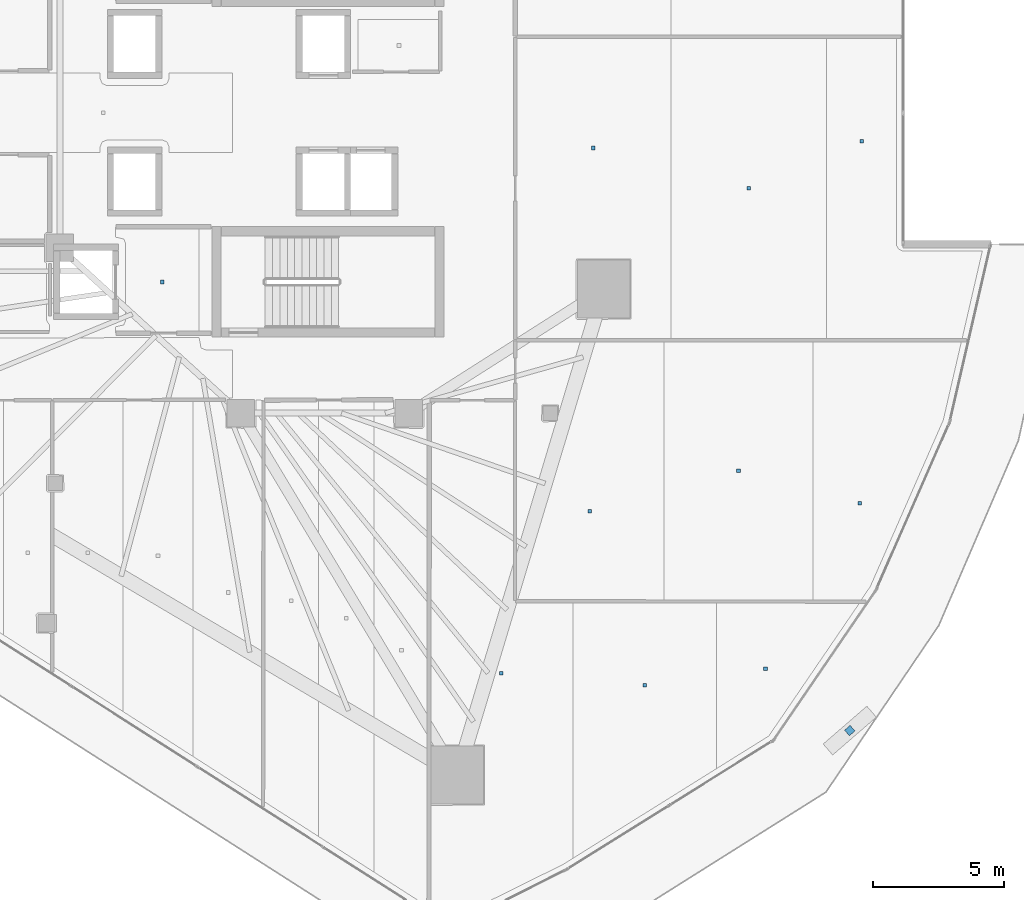
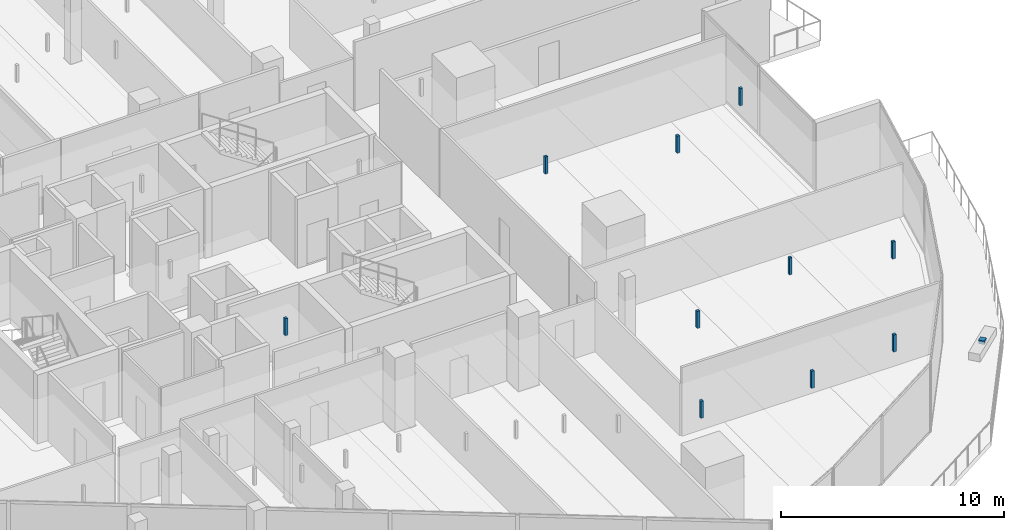
# One storey, part 33 of 44: 11 discrete accessories.
"""IFC4 building model written with IfcOpenShell, lengths in metres."""

from ifc_helpers import new_model, si_unit, direction, frame, origin, origin_2d, place, context, subcontext, project, spatial, rectangle, extrude, material, type_object, element, save


model = new_model("IFC4")

# Units and contexts
model_context = context("Model", 3, precision=1e-05, world=origin(), true_north=direction((0.0, 1.0)))
body_context = subcontext(model_context, "Body", "Model", "MODEL_VIEW")
ifc_project = project(units=[si_unit("LENGTHUNIT", "METRE"), si_unit("AREAUNIT", "SQUARE_METRE"), si_unit("VOLUMEUNIT", "CUBIC_METRE"), si_unit("PLANEANGLEUNIT", "RADIAN"), si_unit("MASSUNIT", "GRAM", prefix="KILO")], contexts=[model_context])

# Site, building, storey
site_placement = place(None, origin())
site = spatial("IfcSite", under=ifc_project, at=site_placement, CompositionType="ELEMENT")
building_placement = place(site_placement, origin())
building = spatial("IfcBuilding", under=site, at=building_placement, Name="Qorvath Tower", CompositionType="ELEMENT")
storey_placement = place(building_placement, frame((0.0, 0.0, 113.85009765625)))
storey = spatial("IfcBuildingStorey", under=building, at=storey_placement, Name="L25", CompositionType="ELEMENT", Elevation=113.85009765625)

# Discrete accessories
ifc_material = material(Name="Galvanised steel bracket", Category="steel")
discrete_accessory_type = type_object("IfcDiscreteAccessoryType", Name="DA-BRACKET", PredefinedType="BRACKET", material=ifc_material)
discrete_accessory_placement = place(storey_placement, frame((-0.3857421875, -23.552490234375, 3.6298828125), z_axis=(0.0, 0.0, 1.0), x_axis=(0.755974586491, 0.654600965917, 0.0)))
element("IfcDiscreteAccessory", 1, at=discrete_accessory_placement, inside=storey, type_object=discrete_accessory_type, Name="Louvre Wave Support Bracket L25-02", PredefinedType="NOTDEFINED", context=body_context, shape_type="SweptSolid", body=[
    extrude(rectangle(XDim=0.280029296875, YDim=0.280029296875, at=origin_2d()), origin(), (0.0, 0.0, 1.0), 0.199951171875),
])
for number, where, z_axis, x_axis, name in (
    (2, (-26.590087890625, -6.449951171875, 2.85986328125), (0.0, 0.0, 1.0), (1.0, 0.0, 0.0), "Acoustic Ceiling Suspension Hanger T1-L25-002"),
    (3, (-13.67626953125, -21.365478515625, 2.85986328125), (0.0, 0.0, 1.0), (1.0, 0.0, 0.0), "Acoustic Ceiling Suspension Hanger T1-L25-031"),
    (4, (-8.201904296875, -21.818115234375, 2.85986328125), (0.0, 0.0, 1.0), (1.0, 0.0, 0.0), "Acoustic Ceiling Suspension Hanger T1-L25-032"),
    (5, (-3.595703125, -21.201171875, 2.85986328125), (0.0, 0.0, 1.0), (1.0, 0.0, 0.0), "Acoustic Ceiling Suspension Hanger T1-L25-033"),
    (6, (-10.301025390625, -15.1962890625, 2.85986328125), (0.0, 0.0, 1.0), (1.0, 0.0, 0.0), "Acoustic Ceiling Suspension Hanger T1-L25-034"),
    (7, (-4.62890625, -13.648681640625, 2.85986328125), (0.0, 0.0, 1.0), (1.0, 0.0, 0.0), "Acoustic Ceiling Suspension Hanger T1-L25-035"),
    (8, (-0.00244140625, -14.887939453125, 2.85986328125), (0.0, 0.0, 1.0), (1.0, 0.0, 0.0), "Acoustic Ceiling Suspension Hanger T1-L25-036"),
    (9, (-10.16943359375, -1.34033203125, 2.85986328125), (0.0, 0.0, 1.0), (1.0, 0.0, 0.0), "Acoustic Ceiling Suspension Hanger T1-L25-037"),
    (10, (-4.234130859375, -2.8828125, 2.85986328125), (0.0, 0.0, 1.0), (1.0, 0.0, 0.0), "Acoustic Ceiling Suspension Hanger T1-L25-038"),
    (11, (0.06494140625, -1.080810546875, 2.85986328125), (0.0, 0.0, 1.0), (1.0, 0.0, 0.0), "Acoustic Ceiling Suspension Hanger T1-L25-039"),
):
    element("IfcDiscreteAccessory", number, at=place(storey_placement, frame(where, z_axis=z_axis, x_axis=x_axis)), inside=storey, type_object=discrete_accessory_type, Name=name, PredefinedType="NOTDEFINED", context=body_context, shape_type="SweptSolid", body=[
        extrude(rectangle(XDim=0.139892578125, YDim=0.139892578125, at=origin_2d()), origin(), (0.0, 0.0, 1.0), 0.940185546875),
    ])

save(model, "model.ifc")
